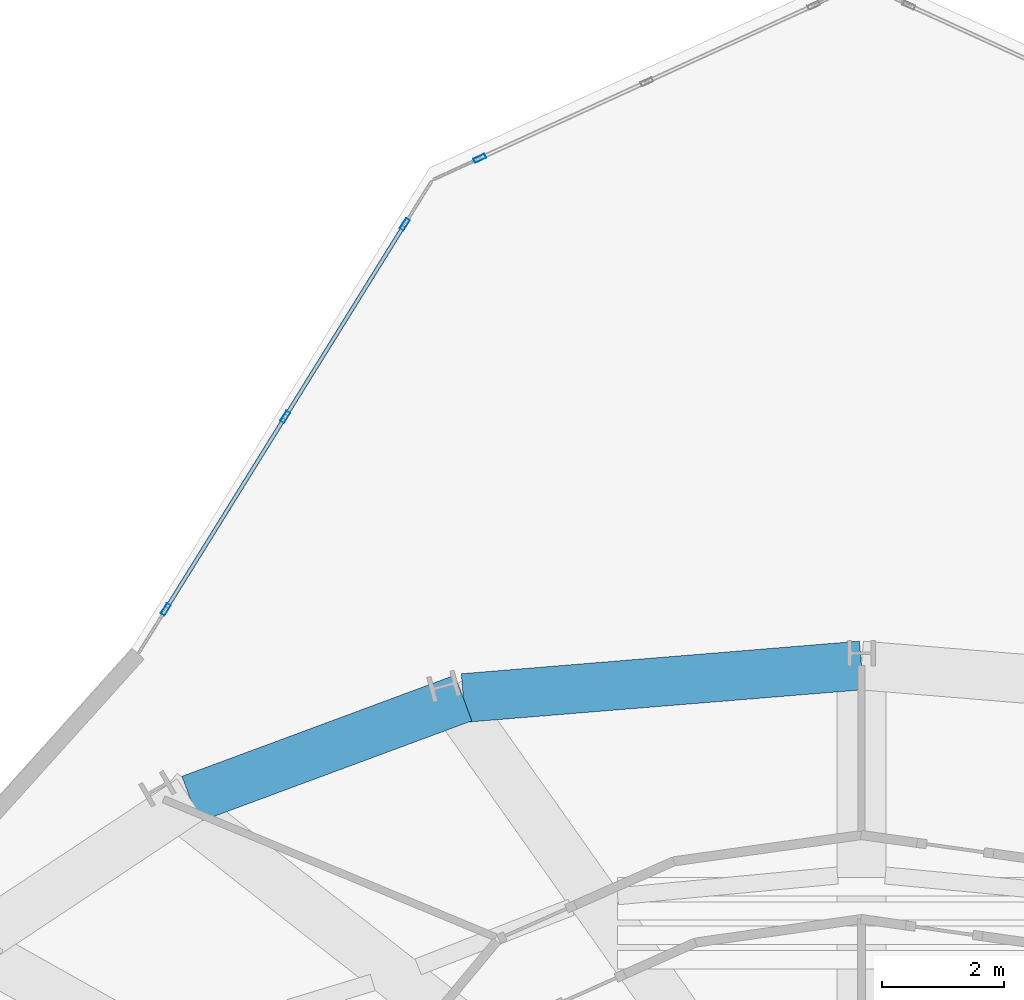
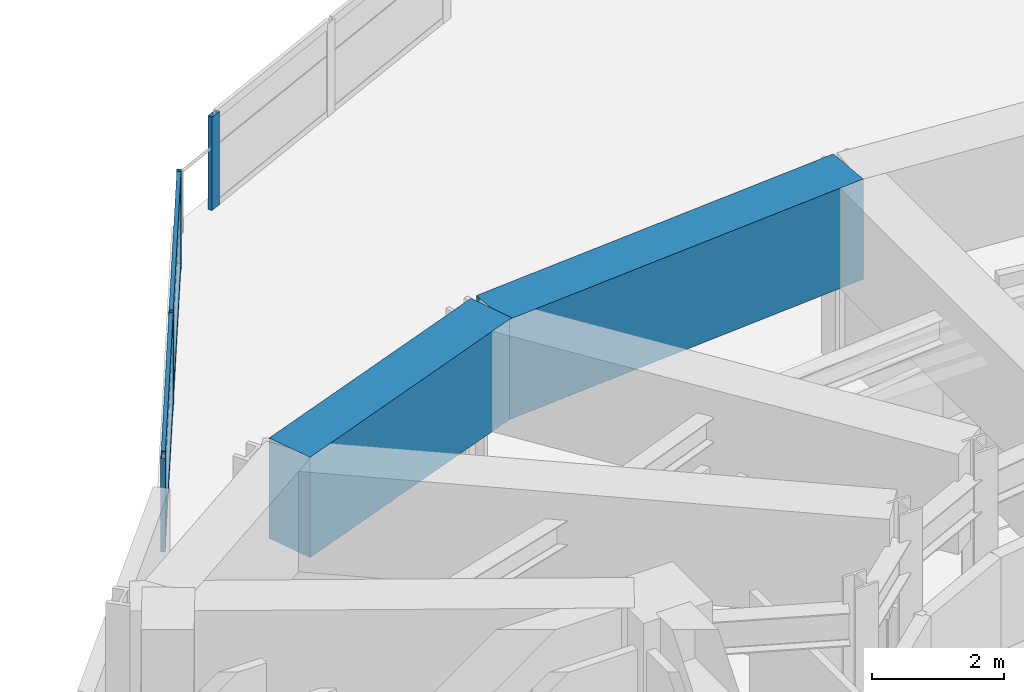
# One storey, part 9 of 21: 8 members, 2 beams, 2 elements without a shape of their own.
"""IFC4 building model written with IfcOpenShell, lengths in metres."""

from ifc_helpers import new_model, si_unit, direction, frame, origin, origin_2d, place, context, subcontext, project, spatial, rectangle, hollow_rectangle, extrude, material, layer, layer_set, material_profile, profile_set, type_object, element, aggregate, save


model = new_model("IFC4")

# Units and contexts
model_context = context("Model", 3, precision=1e-05, world=origin(), true_north=direction((0.0, 1.0)))
body_context = subcontext(model_context, "Body", "Model", "MODEL_VIEW")
ifc_project = project(units=[si_unit("LENGTHUNIT", "METRE"), si_unit("AREAUNIT", "SQUARE_METRE"), si_unit("VOLUMEUNIT", "CUBIC_METRE"), si_unit("PLANEANGLEUNIT", "RADIAN"), si_unit("MASSUNIT", "GRAM", prefix="KILO")], contexts=[model_context])

# Site, building, storey
site_placement = place(None, origin())
site = spatial("IfcSite", under=ifc_project, at=site_placement, CompositionType="ELEMENT")
building_placement = place(site_placement, origin())
building = spatial("IfcBuilding", under=site, at=building_placement, Name="Solvane Sanctuary Tower", CompositionType="ELEMENT")
storey_placement = place(building_placement, frame((0.0, 0.0, 256.800048828125)))
storey = spatial("IfcBuildingStorey", under=building, at=storey_placement, Name="L78", CompositionType="ELEMENT", Elevation=256.800048828125)

# Beams
ifc_material_1 = material(Name="Concrete C70/85", Category="concrete")
ifc_material_profile_1 = material_profile(ifc_material_1, rectangle(XDim=0.800048828125, YDim=1.85009765625, at=origin_2d()), Name="RC800X1850")
ifc_profile_set_1 = profile_set([ifc_material_profile_1], Name="Concrete C70/85")
beam_type = type_object("IfcBeamType", Name="Beam B-XFER-BLK RC800X1850", PredefinedType="BEAM", material=ifc_profile_set_1)
beam_1_placement = place(storey_placement, frame((20.98779296875, 36.285400390625, 2.675048828125), z_axis=(0.937660553204, 0.347552423335, 0.0), x_axis=(-0.347552423335, 0.937660553204, 0.0)))
element("IfcBeam", 1, at=beam_1_placement, inside=storey, type_object=beam_type, Name="L78 Perimeter Step Transfer Ring NTC06-NTC05", PredefinedType="BEAM", context=body_context, shape_type="SweptSolid", body=[
    extrude(rectangle(XDim=0.800048828125, YDim=1.85009765625, at=origin_2d()), origin(), (0.0, 0.0, 1.0), 4.776123046875),
])
beam_2_placement = place(storey_placement, frame((25.466064453125, 37.9453125, 2.675048828125), z_axis=(0.996668695985, 0.081556792744, 0.0), x_axis=(-0.081556792744, 0.996668695985, 0.0)))
element("IfcBeam", 2, at=beam_2_placement, inside=storey, type_object=beam_type, Name="L78 Perimeter Step Transfer Ring NTC05-NTC04", PredefinedType="BEAM", context=body_context, shape_type="SweptSolid", body=[
    extrude(rectangle(XDim=0.800048828125, YDim=1.85009765625, at=origin_2d()), origin(), (0.0, 0.0, 1.0), 6.5556640625),
])

# Curtain wall, member
ifc_material_2 = material(Name="Anodised Aluminium 6063-T6", Category="aluminium")
ifc_layer = layer(ifc_material_2, 0.18994140625, Name="Anodised Aluminium 6063-T6")
ifc_layer_set = layer_set([ifc_layer], Name="Anodised Aluminium 6063-T6")
curtain_wall_type = type_object("IfcCurtainWallType", Name="Curtain Wall CW-OPER", PredefinedType="NOTDEFINED", material=ifc_layer_set)
curtain_wall_1_placement = place(storey_placement, origin())
curtain_wall_1 = element("IfcCurtainWall", 3, at=curtain_wall_1_placement, inside=storey, type_object=curtain_wall_type, Name="L78 CW-OPER Facade Run 06", PredefinedType="NOTDEFINED")
ifc_material_profile_2 = material_profile(ifc_material_2, hollow_rectangle(XDim=0.074951171875, YDim=0.199951171875, WallThickness=0.00390625, at=origin_2d()), Name="ALU200X75X4")
ifc_profile_set_2 = profile_set([ifc_material_profile_2], Name="Anodised Aluminium 6063-T6")
member_type_1 = type_object("IfcMemberType", Name="Member M-CW-MUL-1 ALU200X75X4", PredefinedType="MULLION", material=ifc_profile_set_2)
member_1_placement = place(storey_placement, frame((25.73681640625, 46.80322265625, 0.0), z_axis=(0.0, 0.0, 1.0), x_axis=(0.416224941032, -0.909261677661, 0.0)))
member_1 = element("IfcMember", 4, at=member_1_placement, type_object=member_type_1, Name="CW-OPER mullion 3", PredefinedType="MULLION", context=body_context, shape_type="SweptSolid", body=[
    extrude(hollow_rectangle(XDim=0.074951171875, YDim=0.199951171875, WallThickness=0.00390625, at=origin_2d()), origin(), (0.0, 0.0, 1.0), 1.719970703125),
])
aggregate(curtain_wall_1, [member_1])

# Curtain wall, members
curtain_wall_2_placement = place(storey_placement, origin())
curtain_wall_2 = element("IfcCurtainWall", 5, at=curtain_wall_2_placement, inside=storey, type_object=curtain_wall_type, Name="L78 CW-OPER Facade Run 07", PredefinedType="NOTDEFINED")
member_2_placement = place(storey_placement, frame((24.504638671875, 45.7177734375, 0.0), z_axis=(0.0, 0.0, 1.0), x_axis=(0.849622273102, -0.527391688453, 0.0)))
member_2 = element("IfcMember", 6, at=member_2_placement, type_object=member_type_1, Name="CW-OPER mullion 1", PredefinedType="MULLION", context=body_context, shape_type="SweptSolid", body=[
    extrude(hollow_rectangle(XDim=0.074951171875, YDim=0.199951171875, WallThickness=0.00390625, at=origin_2d()), origin(), (0.0, 0.0, 1.0), 1.719970703125),
])
member_3_placement = place(storey_placement, frame((22.54345703125, 42.558349609375, 0.0), z_axis=(0.0, 0.0, 1.0), x_axis=(0.849622273102, -0.527391688453, 0.0)))
member_3 = element("IfcMember", 7, at=member_3_placement, type_object=member_type_1, Name="CW-OPER mullion 2", PredefinedType="MULLION", context=body_context, shape_type="SweptSolid", body=[
    extrude(hollow_rectangle(XDim=0.074951171875, YDim=0.199951171875, WallThickness=0.00390625, at=origin_2d()), origin(), (0.0, 0.0, 1.0), 1.719970703125),
])
member_4_placement = place(storey_placement, frame((20.582275390625, 39.398681640625, 0.0), z_axis=(0.0, 0.0, 1.0), x_axis=(0.849622273102, -0.527391688453, 0.0)))
member_4 = element("IfcMember", 8, at=member_4_placement, type_object=member_type_1, Name="CW-OPER mullion 3", PredefinedType="MULLION", context=body_context, shape_type="SweptSolid", body=[
    extrude(hollow_rectangle(XDim=0.074951171875, YDim=0.199951171875, WallThickness=0.00390625, at=origin_2d()), origin(), (0.0, 0.0, 1.0), 1.719970703125),
])
ifc_material_profile_3 = material_profile(ifc_material_2, hollow_rectangle(XDim=0.06494140625, YDim=0.159912109375, WallThickness=0.00341796875, at=origin_2d()), Name="ALU160X65X3.5")
ifc_profile_set_3 = profile_set([ifc_material_profile_3], Name="Anodised Aluminium 6063-T6")
member_type_2 = type_object("IfcMemberType", Name="Member M-CW-TRN-1 ALU160X65X3.5", PredefinedType="USERDEFINED", material=ifc_profile_set_3)
member_5_placement = place(storey_placement, frame((24.48486328125, 45.68603515625, 0.032470703125), z_axis=(-0.527364529612, -0.849639130989, 0.0), x_axis=(0.849639130989, -0.527364529612, 0.0)))
member_5 = element("IfcMember", 9, at=member_5_placement, type_object=member_type_2, Name="CW-OPER transom 1.1", ObjectType="TRANSOM", PredefinedType="USERDEFINED", context=body_context, shape_type="SweptSolid", body=[
    extrude(hollow_rectangle(XDim=0.06494140625, YDim=0.159912109375, WallThickness=0.00341796875, at=origin_2d()), origin(), (0.0, 0.0, 1.0), 3.643798828125),
])
member_6_placement = place(storey_placement, frame((24.48486328125, 45.68603515625, 1.6875), z_axis=(-0.527364529612, -0.849639130989, 0.0), x_axis=(0.849639130989, -0.527364529612, 0.0)))
member_6 = element("IfcMember", 10, at=member_6_placement, type_object=member_type_2, Name="CW-OPER transom 1.2", ObjectType="TRANSOM", PredefinedType="USERDEFINED", context=body_context, shape_type="SweptSolid", body=[
    extrude(hollow_rectangle(XDim=0.06494140625, YDim=0.159912109375, WallThickness=0.00341796875, at=origin_2d()), origin(), (0.0, 0.0, 1.0), 3.643798828125),
])
member_7_placement = place(storey_placement, frame((22.523681640625, 42.5263671875, 0.032470703125), z_axis=(-0.527364529612, -0.849639130989, 0.0), x_axis=(0.849639130989, -0.527364529612, 0.0)))
member_7 = element("IfcMember", 11, at=member_7_placement, type_object=member_type_2, Name="CW-OPER transom 2.1", ObjectType="TRANSOM", PredefinedType="USERDEFINED", context=body_context, shape_type="SweptSolid", body=[
    extrude(hollow_rectangle(XDim=0.06494140625, YDim=0.159912109375, WallThickness=0.00341796875, at=origin_2d()), origin(), (0.0, 0.0, 1.0), 3.643798828125),
])
member_8_placement = place(storey_placement, frame((22.523681640625, 42.5263671875, 1.6875), z_axis=(-0.527364529612, -0.849639130989, 0.0), x_axis=(0.849639130989, -0.527364529612, 0.0)))
member_8 = element("IfcMember", 12, at=member_8_placement, type_object=member_type_2, Name="CW-OPER transom 2.2", ObjectType="TRANSOM", PredefinedType="USERDEFINED", context=body_context, shape_type="SweptSolid", body=[
    extrude(hollow_rectangle(XDim=0.06494140625, YDim=0.159912109375, WallThickness=0.00341796875, at=origin_2d()), origin(), (0.0, 0.0, 1.0), 3.643798828125),
])
aggregate(curtain_wall_2, [member_2, member_3, member_4, member_5, member_6, member_7, member_8])

save(model, "model.ifc")
